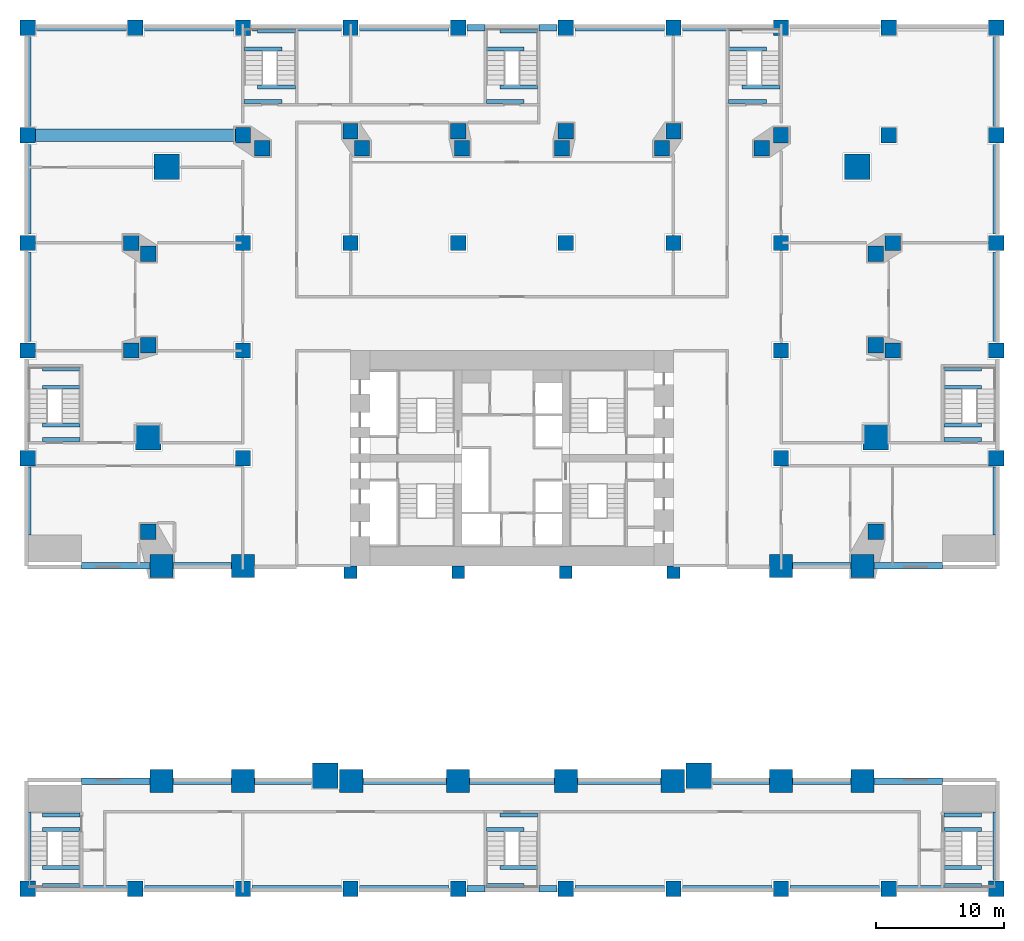
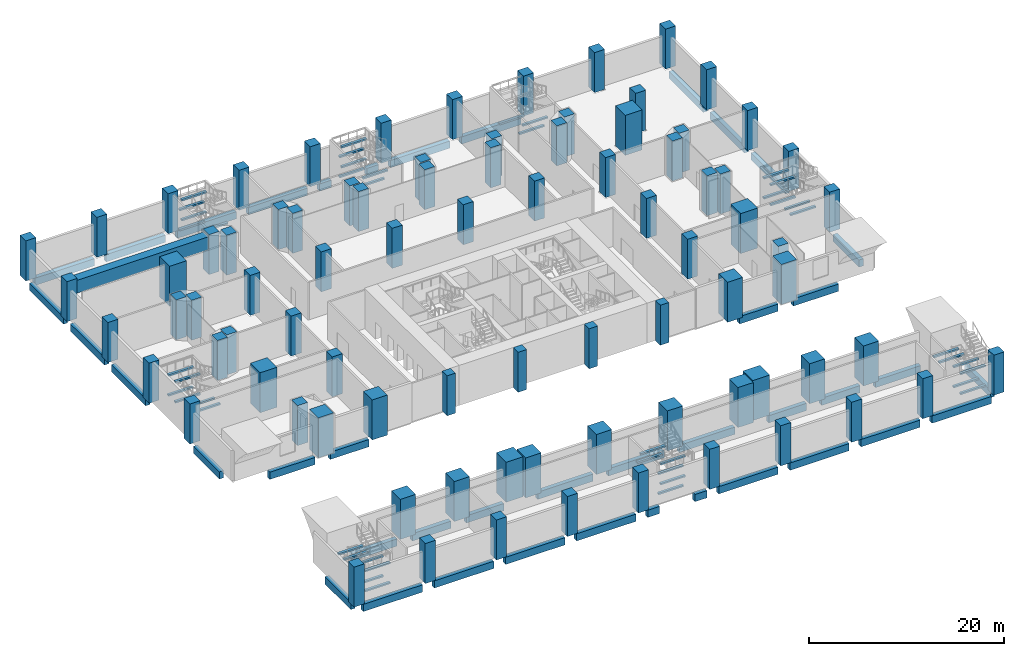
# One storey, part 1 of 16: 87 beams, 83 columns.
"""IFC4 building model written with IfcOpenShell, lengths in metres."""

from ifc_helpers import new_model, si_unit, direction, frame, frame_2d, origin, origin_2d, place, context, subcontext, project, spatial, rectangle, extrude, material, material_profile, profile_set, type_object, element, save


model = new_model("IFC4")

# Units and contexts
model_context = context("Model", 3, precision=1e-05, world=origin(), true_north=direction((0.0, 1.0)))
body_context = subcontext(model_context, "Body", "Model", "MODEL_VIEW")
ifc_project = project(units=[si_unit("LENGTHUNIT", "METRE"), si_unit("AREAUNIT", "SQUARE_METRE"), si_unit("VOLUMEUNIT", "CUBIC_METRE"), si_unit("PLANEANGLEUNIT", "RADIAN"), si_unit("MASSUNIT", "GRAM", prefix="KILO")], contexts=[model_context])

# Site, building, storey
site_placement = place(None, origin())
site = spatial("IfcSite", under=ifc_project, at=site_placement, CompositionType="ELEMENT")
building_placement = place(site_placement, origin())
building = spatial("IfcBuilding", under=site, at=building_placement, Name="Marenta Gate Hotel Tower", CompositionType="ELEMENT")
storey_placement = place(building_placement, frame((0.0, 0.0, 21.0)))
storey = spatial("IfcBuildingStorey", under=building, at=storey_placement, Name="L03", CompositionType="ELEMENT", Elevation=21.0)

# Columns
ifc_material_1 = material(Name="Concrete C80", Category="concrete")
ifc_material_profile_1 = material_profile(ifc_material_1, rectangle(XDim=1.0, YDim=1.0, at=origin_2d()), Name="1000 x 1000")
ifc_profile_set_1 = profile_set([ifc_material_profile_1], Name="Concrete C80")
column_type_1 = type_object("IfcColumnType", Name="Core pier 1000 x 1000 C80", PredefinedType="COLUMN", material=ifc_profile_set_1)
for number, where, z_axis, x_axis, name in (
    (1, (-12.60009765625, -0.5, 0.0), (0.0, 0.0, 1.0), (1.0, 0.0, 0.0), "L03-CP--12.6"),
    (2, (-4.199951171875, -0.5, 0.0), (0.0, 0.0, 1.0), (1.0, 0.0, 0.0), "L03-CP--4.2"),
    (3, (4.199951171875, -0.5, 0.0), (0.0, 0.0, 1.0), (1.0, 0.0, 0.0), "L03-CP-+4.2"),
    (4, (12.60009765625, -0.5, 0.0), (0.0, 0.0, 1.0), (1.0, 0.0, 0.0), "L03-CP-+12.6"),
):
    element("IfcColumn", number, at=place(storey_placement, frame(where, z_axis=z_axis, x_axis=x_axis)), inside=storey, type_object=column_type_1, Name=name, PredefinedType="COLUMN", context=body_context, shape_type="SweptSolid", body=[
        extrude(rectangle(XDim=1.0, YDim=1.0, at=origin_2d()), origin(), (0.0, 0.0, 1.0), 5.0),
    ])
ifc_material_2 = material(Name="Concrete C80", Category="concrete")
ifc_material_profile_2 = material_profile(ifc_material_2, rectangle(XDim=1.800048828125, YDim=1.800048828125, at=origin_2d()), Name="1800 x 1800")
ifc_profile_set_2 = profile_set([ifc_material_profile_2], Name="Concrete C80")
column_type_2 = type_object("IfcColumnType", Name="Gate lane column 1800 x 1800 C80", PredefinedType="COLUMN", material=ifc_profile_set_2)
for number, where, z_axis, x_axis, name in (
    (5, (-21.0, -16.800048828125, 0.0), (0.0, 0.0, 1.0), (1.0, 0.0, 0.0), "L03-PCOL-4/D"),
    (6, (-12.54638671875, -16.800048828125, 0.0), (0.0, 0.0, 1.0), (1.0, 0.0, 0.0), "L03-PCOL-5/D"),
    (7, (-4.199951171875, -16.800048828125, 0.0), (0.0, 0.0, 1.0), (1.0, 0.0, 0.0), "L03-PCOL-6/D"),
    (8, (4.199951171875, -16.800048828125, 0.0), (0.0, 0.0, 1.0), (1.0, 0.0, 0.0), "L03-PCOL-7/D"),
    (9, (12.54638671875, -16.800048828125, 0.0), (0.0, 0.0, 1.0), (1.0, 0.0, 0.0), "L03-PCOL-8/D"),
    (10, (21.0, -16.800048828125, 0.0), (0.0, 0.0, 1.0), (1.0, 0.0, 0.0), "L03-PCOL-9/D"),
    (11, (-21.0, 0.0, 0.0), (0.0, 0.0, 1.0), (1.0, 0.0, 0.0), "L03-PCOL-4/F"),
    (12, (21.0, 0.0, 0.0), (0.0, 0.0, 1.0), (1.0, 0.0, 0.0), "L03-PCOL-9/F"),
    (13, (-27.363037109375, -16.800048828125, 0.0), (0.0, 0.0, 1.0), (1.0, 0.0, 0.0), "L03-PCOL-WS-lane"),
    (14, (-27.363037109375, 0.0, 0.0), (0.0, 0.0, 1.0), (1.0, 0.0, 0.0), "L03-PCOL-WN-lane"),
    (15, (27.363037109375, -16.800048828125, 0.0), (0.0, 0.0, 1.0), (1.0, 0.0, 0.0), "L03-PCOL-ES-lane"),
    (16, (27.363037109375, 0.0, 0.0), (0.0, 0.0, 1.0), (1.0, 0.0, 0.0), "L03-PCOL-EN-lane"),
):
    element("IfcColumn", number, at=place(storey_placement, frame(where, z_axis=z_axis, x_axis=x_axis)), inside=storey, type_object=column_type_2, Name=name, PredefinedType="COLUMN", context=body_context, shape_type="SweptSolid", body=[
        extrude(rectangle(XDim=1.800048828125, YDim=1.800048828125, at=origin_2d()), origin(), (0.0, 0.0, 1.0), 5.0),
    ])
ifc_material_3 = material(Name="Concrete C70", Category="concrete")
ifc_material_profile_3 = material_profile(ifc_material_3, rectangle(XDim=1.199951171875, YDim=1.199951171875, at=origin_2d()), Name="1200 x 1200")
ifc_profile_set_3 = profile_set([ifc_material_profile_3], Name="Concrete C70")
column_type_3 = type_object("IfcColumnType", Name="Podium base column 1200 x 1200 C70", PredefinedType="COLUMN", material=ifc_profile_set_3)
for number, where, z_axis, x_axis, name in (
    (17, (-28.39990234375, 2.649169921875, 0.0), (0.0, 0.0, 1.0), (1.0, 0.0, 0.0), "L03-BC-SW-W-2"),
    (18, (-28.39990234375, 17.203125, 0.0), (0.0, 0.0, 1.0), (1.0, 0.0, 0.0), "L03-BC-W-NW-1"),
    (19, (-28.39990234375, 24.3564453125, 0.0), (0.0, 0.0, 1.0), (1.0, 0.0, 0.0), "L03-BC-W-NW-2"),
    (20, (-19.5068359375, 32.60009765625, 0.0), (0.0, 0.0, 1.0), (1.0, 0.0, 0.0), "L03-BC-NW-NE-1"),
    (21, (-11.7041015625, 32.60009765625, 0.0), (0.0, 0.0, 1.0), (1.0, 0.0, 0.0), "L03-BC-NW-NE-2"),
    (22, (-3.9013671875, 32.60009765625, 0.0), (0.0, 0.0, 1.0), (1.0, 0.0, 0.0), "L03-BC-NW-NE-3"),
    (23, (3.9013671875, 32.60009765625, 0.0), (0.0, 0.0, 1.0), (1.0, 0.0, 0.0), "L03-BC-NW-NE-4"),
    (24, (11.7041015625, 32.60009765625, 0.0), (0.0, 0.0, 1.0), (1.0, 0.0, 0.0), "L03-BC-NW-NE-5"),
    (25, (19.5068359375, 32.60009765625, 0.0), (0.0, 0.0, 1.0), (1.0, 0.0, 0.0), "L03-BC-NW-NE-6"),
    (26, (28.39990234375, 24.3564453125, 0.0), (0.0, 0.0, 1.0), (1.0, 0.0, 0.0), "L03-BC-NE-E-1"),
    (27, (28.39990234375, 17.203125, 0.0), (0.0, 0.0, 1.0), (1.0, 0.0, 0.0), "L03-BC-NE-E-2"),
    (28, (28.39990234375, 2.649169921875, 0.0), (0.0, 0.0, 1.0), (1.0, 0.0, 0.0), "L03-BC-E-SE-1"),
):
    element("IfcColumn", number, at=place(storey_placement, frame(where, z_axis=z_axis, x_axis=x_axis)), inside=storey, type_object=column_type_3, Name=name, PredefinedType="COLUMN", context=body_context, shape_type="SweptSolid", body=[
        extrude(rectangle(XDim=1.199951171875, YDim=1.199951171875, at=origin_2d()), origin(), (0.0, 0.0, 1.0), 5.0),
    ])
ifc_material_4 = material(Name="Concrete C60", Category="concrete")
ifc_material_profile_4 = material_profile(ifc_material_4, rectangle(XDim=1.199951171875, YDim=1.199951171875, at=origin_2d()), Name="1200 x 1200")
ifc_profile_set_4 = profile_set([ifc_material_profile_4], Name="Concrete C60")
column_type_4 = type_object("IfcColumnType", Name="Podium column 1200 x 1200 C60", PredefinedType="COLUMN", material=ifc_profile_set_4)
for number, where, z_axis, x_axis, name in (
    (29, (-37.800048828125, -25.199951171875, 0.0), (0.0, 0.0, 1.0), (1.0, 0.0, 0.0), "L03-PCOL-2/C"),
    (30, (-29.39990234375, -25.199951171875, 0.0), (0.0, 0.0, 1.0), (1.0, 0.0, 0.0), "L03-PCOL-3/C"),
    (31, (-21.0, -25.199951171875, 0.0), (0.0, 0.0, 1.0), (1.0, 0.0, 0.0), "L03-PCOL-4/C"),
    (32, (-12.60009765625, -25.199951171875, 0.0), (0.0, 0.0, 1.0), (1.0, 0.0, 0.0), "L03-PCOL-5/C"),
    (33, (-4.199951171875, -25.199951171875, 0.0), (0.0, 0.0, 1.0), (1.0, 0.0, 0.0), "L03-PCOL-6/C"),
    (34, (4.199951171875, -25.199951171875, 0.0), (0.0, 0.0, 1.0), (1.0, 0.0, 0.0), "L03-PCOL-7/C"),
    (35, (12.60009765625, -25.199951171875, 0.0), (0.0, 0.0, 1.0), (1.0, 0.0, 0.0), "L03-PCOL-8/C"),
    (36, (21.0, -25.199951171875, 0.0), (0.0, 0.0, 1.0), (1.0, 0.0, 0.0), "L03-PCOL-9/C"),
    (37, (29.39990234375, -25.199951171875, 0.0), (0.0, 0.0, 1.0), (1.0, 0.0, 0.0), "L03-PCOL-10/C"),
    (38, (37.800048828125, -25.199951171875, 0.0), (0.0, 0.0, 1.0), (1.0, 0.0, 0.0), "L03-PCOL-11/C"),
    (39, (-37.800048828125, 8.39990234375, 0.0), (0.0, 0.0, 1.0), (1.0, 0.0, 0.0), "L03-PCOL-2/G"),
    (40, (-21.0, 8.39990234375, 0.0), (0.0, 0.0, 1.0), (1.0, 0.0, 0.0), "L03-PCOL-4/G"),
    (41, (21.0, 8.39990234375, 0.0), (0.0, 0.0, 1.0), (1.0, 0.0, 0.0), "L03-PCOL-9/G"),
    (42, (37.800048828125, 8.39990234375, 0.0), (0.0, 0.0, 1.0), (1.0, 0.0, 0.0), "L03-PCOL-11/G"),
    (43, (-37.800048828125, 16.800048828125, 0.0), (0.0, 0.0, 1.0), (1.0, 0.0, 0.0), "L03-PCOL-2/H"),
    (44, (-29.719970703125, 16.800048828125, 0.0), (0.0, 0.0, 1.0), (1.0, 0.0, 0.0), "L03-PCOL-3/H"),
    (45, (-21.0, 16.800048828125, 0.0), (0.0, 0.0, 1.0), (1.0, 0.0, 0.0), "L03-PCOL-4/H"),
    (46, (21.0, 16.800048828125, 0.0), (0.0, 0.0, 1.0), (1.0, 0.0, 0.0), "L03-PCOL-9/H"),
    (47, (29.719970703125, 16.800048828125, 0.0), (0.0, 0.0, 1.0), (1.0, 0.0, 0.0), "L03-PCOL-10/H"),
    (48, (37.800048828125, 16.800048828125, 0.0), (0.0, 0.0, 1.0), (1.0, 0.0, 0.0), "L03-PCOL-11/H"),
    (49, (-37.800048828125, 25.199951171875, 0.0), (0.0, 0.0, 1.0), (1.0, 0.0, 0.0), "L03-PCOL-2/I"),
    (50, (-29.719970703125, 25.199951171875, 0.0), (0.0, 0.0, 1.0), (1.0, 0.0, 0.0), "L03-PCOL-3/I"),
    (51, (-21.0, 25.199951171875, 0.0), (0.0, 0.0, 1.0), (1.0, 0.0, 0.0), "L03-PCOL-4/I"),
    (52, (-12.60009765625, 25.199951171875, 0.0), (0.0, 0.0, 1.0), (1.0, 0.0, 0.0), "L03-PCOL-5/I"),
    (53, (-4.199951171875, 25.199951171875, 0.0), (0.0, 0.0, 1.0), (1.0, 0.0, 0.0), "L03-PCOL-6/I"),
    (54, (4.199951171875, 25.199951171875, 0.0), (0.0, 0.0, 1.0), (1.0, 0.0, 0.0), "L03-PCOL-7/I"),
    (55, (12.60009765625, 25.199951171875, 0.0), (0.0, 0.0, 1.0), (1.0, 0.0, 0.0), "L03-PCOL-8/I"),
    (56, (21.0, 25.199951171875, 0.0), (0.0, 0.0, 1.0), (1.0, 0.0, 0.0), "L03-PCOL-9/I"),
    (57, (29.719970703125, 25.199951171875, 0.0), (0.0, 0.0, 1.0), (1.0, 0.0, 0.0), "L03-PCOL-10/I"),
    (58, (37.800048828125, 25.199951171875, 0.0), (0.0, 0.0, 1.0), (1.0, 0.0, 0.0), "L03-PCOL-11/I"),
    (59, (-37.800048828125, 33.60009765625, 0.0), (0.0, 0.0, 1.0), (1.0, 0.0, 0.0), "L03-PCOL-2/J"),
    (60, (-21.0, 33.60009765625, 0.0), (0.0, 0.0, 1.0), (1.0, 0.0, 0.0), "L03-PCOL-4/J"),
    (61, (-12.60009765625, 33.919921875, 0.0), (0.0, 0.0, 1.0), (1.0, 0.0, 0.0), "L03-PCOL-5/J"),
    (62, (-4.199951171875, 33.919921875, 0.0), (0.0, 0.0, 1.0), (1.0, 0.0, 0.0), "L03-PCOL-6/J"),
    (63, (4.199951171875, 33.919921875, 0.0), (0.0, 0.0, 1.0), (1.0, 0.0, 0.0), "L03-PCOL-7/J"),
    (64, (12.60009765625, 33.919921875, 0.0), (0.0, 0.0, 1.0), (1.0, 0.0, 0.0), "L03-PCOL-8/J"),
    (65, (21.0, 33.60009765625, 0.0), (0.0, 0.0, 1.0), (1.0, 0.0, 0.0), "L03-PCOL-9/J"),
    (66, (29.39990234375, 33.60009765625, 0.0), (0.0, 0.0, 1.0), (1.0, 0.0, 0.0), "L03-PCOL-10/J"),
    (67, (37.800048828125, 33.60009765625, 0.0), (0.0, 0.0, 1.0), (1.0, 0.0, 0.0), "L03-PCOL-11/J"),
    (68, (-37.800048828125, 42.0, 0.0), (0.0, 0.0, 1.0), (1.0, 0.0, 0.0), "L03-PCOL-2/K"),
    (69, (-29.39990234375, 42.0, 0.0), (0.0, 0.0, 1.0), (1.0, 0.0, 0.0), "L03-PCOL-3/K"),
    (70, (-21.0, 42.0, 0.0), (0.0, 0.0, 1.0), (1.0, 0.0, 0.0), "L03-PCOL-4/K"),
    (71, (-12.60009765625, 42.0, 0.0), (0.0, 0.0, 1.0), (1.0, 0.0, 0.0), "L03-PCOL-5/K"),
    (72, (-4.199951171875, 42.0, 0.0), (0.0, 0.0, 1.0), (1.0, 0.0, 0.0), "L03-PCOL-6/K"),
    (73, (4.199951171875, 42.0, 0.0), (0.0, 0.0, 1.0), (1.0, 0.0, 0.0), "L03-PCOL-7/K"),
    (74, (12.60009765625, 42.0, 0.0), (0.0, 0.0, 1.0), (1.0, 0.0, 0.0), "L03-PCOL-8/K"),
    (75, (21.0, 42.0, 0.0), (0.0, 0.0, 1.0), (1.0, 0.0, 0.0), "L03-PCOL-9/K"),
    (76, (29.39990234375, 42.0, 0.0), (0.0, 0.0, 1.0), (1.0, 0.0, 0.0), "L03-PCOL-10/K"),
    (77, (37.800048828125, 42.0, 0.0), (0.0, 0.0, 1.0), (1.0, 0.0, 0.0), "L03-PCOL-11/K"),
):
    element("IfcColumn", number, at=place(storey_placement, frame(where, z_axis=z_axis, x_axis=x_axis)), inside=storey, type_object=column_type_4, Name=name, PredefinedType="COLUMN", context=body_context, shape_type="SweptSolid", body=[
        extrude(rectangle(XDim=1.199951171875, YDim=1.199951171875, at=origin_2d()), origin(), (0.0, 0.0, 1.0), 5.0),
    ])
ifc_material_5 = material(Name="Concrete C80", Category="concrete")
ifc_material_profile_5 = material_profile(ifc_material_5, rectangle(XDim=2.0, YDim=2.0, at=origin_2d()), Name="2000 x 2000")
ifc_profile_set_5 = profile_set([ifc_material_profile_5], Name="Concrete C80")
column_type_5 = type_object("IfcColumnType", Name="Podium column under mega column 2000 x 2000 C80", PredefinedType="COLUMN", material=ifc_profile_set_5)
for number, where, z_axis, x_axis, name in (
    (78, (28.39990234375, 10.050048828125, 0.0), (0.0, 0.0, 1.0), (1.0, 0.0, 0.0), "L03-PCOL-E-mega"),
    (79, (-28.39990234375, 10.050048828125, 0.0), (0.0, 0.0, 1.0), (1.0, 0.0, 0.0), "L03-PCOL-W-mega"),
    (80, (26.935546875, 31.135498046875, 0.0), (0.0, 0.0, 1.0), (1.0, 0.0, 0.0), "L03-PCOL-NE-mega"),
    (81, (-26.935546875, 31.135498046875, 0.0), (0.0, 0.0, 1.0), (1.0, 0.0, 0.0), "L03-PCOL-NW-mega"),
    (82, (-14.56640625, -16.374755859375, 0.0), (0.0, 0.0, 1.0), (1.0, 0.0, 0.0), "L03-PCOL-SKW-mega"),
    (83, (14.56640625, -16.374755859375, 0.0), (0.0, 0.0, 1.0), (1.0, 0.0, 0.0), "L03-PCOL-SKE-mega"),
):
    element("IfcColumn", number, at=place(storey_placement, frame(where, z_axis=z_axis, x_axis=x_axis)), inside=storey, type_object=column_type_5, Name=name, PredefinedType="COLUMN", context=body_context, shape_type="SweptSolid", body=[
        extrude(rectangle(XDim=2.0, YDim=2.0, at=origin_2d()), origin(), (0.0, 0.0, 1.0), 5.0),
    ])

# Beams
ifc_material_6 = material(Name="Concrete C70", Category="concrete")
ifc_material_profile_6 = material_profile(ifc_material_6, rectangle(XDim=1.0, YDim=1.60009765625, at=origin_2d()), Name="1000 x 1600")
ifc_profile_set_6 = profile_set([ifc_material_profile_6], Name="Concrete C70")
beam_type_1 = type_object("IfcBeamType", Name="Hall transfer girder 1000 x 1600 C70", PredefinedType="BEAM", material=ifc_profile_set_6)
beam_1_placement = place(storey_placement, frame((-37.25, 33.60009765625, 4.679931640625), z_axis=(1.0, 0.0, 0.0), x_axis=(0.0, 1.0, 0.0)))
element("IfcBeam", 84, at=beam_1_placement, inside=storey, type_object=beam_type_1, Name="L03-HG-336", PredefinedType="BEAM", context=body_context, shape_type="SweptSolid", body=[
    extrude(rectangle(XDim=1.0, YDim=1.60009765625, at=frame_2d((0.0, -0.800048828125))), origin(), (0.0, 0.0, 1.0), 15.699951171875),
])
ifc_material_7 = material(Name="Concrete C60", Category="concrete")
ifc_material_profile_7 = material_profile(ifc_material_7, rectangle(XDim=0.5, YDim=0.89990234375, at=origin_2d()), Name="500 x 900")
ifc_profile_set_7 = profile_set([ifc_material_profile_7], Name="Concrete C60")
beam_type_2 = type_object("IfcBeamType", Name="Podium edge beam 500 x 900 C60", PredefinedType="BEAM", material=ifc_profile_set_7)
for number, where, z_axis, x_axis, name in (
    (85, (-37.10009765625, -25.199951171875, -0.77001953125), (1.0, 0.0, 0.0), (0.0, 1.0, 0.0), "L03-PBM-87"),
    (86, (-28.699951171875, -25.199951171875, -0.77001953125), (1.0, 0.0, 0.0), (0.0, 1.0, 0.0), "L03-PBM-88"),
    (87, (-20.300048828125, -25.199951171875, -0.77001953125), (1.0, 0.0, 0.0), (0.0, 1.0, 0.0), "L03-PBM-89"),
    (88, (-11.89990234375, -25.199951171875, -0.77001953125), (1.0, 0.0, 0.0), (0.0, 1.0, 0.0), "L03-PBM-90"),
):
    element("IfcBeam", number, at=place(storey_placement, frame(where, z_axis=z_axis, x_axis=x_axis)), inside=storey, type_object=beam_type_2, Name=name, PredefinedType="BEAM", context=body_context, shape_type="SweptSolid", body=[
        extrude(rectangle(XDim=0.5, YDim=0.89990234375, at=origin_2d()), origin(), (0.0, 0.0, 1.0), 7.0),
    ])
for number, where, z_axis, x_axis, name in (
    (89, (-3.5, -25.199951171875, -0.77001953125), (1.0, 0.0, 0.0), (0.0, 1.0, 0.0), "L03-PBM-91"),
    (90, (2.10009765625, -25.199951171875, -0.77001953125), (1.0, 0.0, 0.0), (0.0, 1.0, 0.0), "L03-PBM-92"),
):
    element("IfcBeam", number, at=place(storey_placement, frame(where, z_axis=z_axis, x_axis=x_axis)), inside=storey, type_object=beam_type_2, Name=name, PredefinedType="BEAM", context=body_context, shape_type="SweptSolid", body=[
        extrude(rectangle(XDim=0.5, YDim=0.89990234375, at=origin_2d()), origin(), (0.0, 0.0, 1.0), 1.39990234375),
    ])
for number, where, z_axis, x_axis, name in (
    (91, (4.89990234375, -25.199951171875, -0.77001953125), (1.0, 0.0, 0.0), (0.0, 1.0, 0.0), "L03-PBM-93"),
    (92, (13.300048828125, -25.199951171875, -0.77001953125), (1.0, 0.0, 0.0), (0.0, 1.0, 0.0), "L03-PBM-94"),
    (93, (21.699951171875, -25.199951171875, -0.77001953125), (1.0, 0.0, 0.0), (0.0, 1.0, 0.0), "L03-PBM-95"),
    (94, (30.10009765625, -25.199951171875, -0.77001953125), (1.0, 0.0, 0.0), (0.0, 1.0, 0.0), "L03-PBM-96"),
):
    element("IfcBeam", number, at=place(storey_placement, frame(where, z_axis=z_axis, x_axis=x_axis)), inside=storey, type_object=beam_type_2, Name=name, PredefinedType="BEAM", context=body_context, shape_type="SweptSolid", body=[
        extrude(rectangle(XDim=0.5, YDim=0.89990234375, at=origin_2d()), origin(), (0.0, 0.0, 1.0), 7.0),
    ])
beam_2_placement = place(storey_placement, frame((37.800048828125, -24.5, -0.77001953125), z_axis=(0.0, 1.0, 0.0), x_axis=(-1.0, 0.0, 0.0)))
element("IfcBeam", 95, at=beam_2_placement, inside=storey, type_object=beam_type_2, Name="L03-PBM-97", PredefinedType="BEAM", context=body_context, shape_type="SweptSolid", body=[
    extrude(rectangle(XDim=0.5, YDim=0.89990234375, at=origin_2d()), origin(), (0.0, 0.0, 1.0), 5.300048828125),
])
beam_3_placement = place(storey_placement, frame((33.60009765625, -16.800048828125, -0.77001953125), z_axis=(-1.0, 0.0, 0.0), x_axis=(0.0, -1.0, 0.0)))
element("IfcBeam", 96, at=beam_3_placement, inside=storey, type_object=beam_type_2, Name="L03-PBM-98", PredefinedType="BEAM", context=body_context, shape_type="SweptSolid", body=[
    extrude(rectangle(XDim=0.5, YDim=0.89990234375, at=origin_2d()), origin(), (0.0, 0.0, 1.0), 5.337158203125),
])
beam_4_placement = place(storey_placement, frame((26.462890625, -16.800048828125, -0.77001953125), z_axis=(-1.0, 0.0, 0.0), x_axis=(0.0, -1.0, 0.0)))
element("IfcBeam", 97, at=beam_4_placement, inside=storey, type_object=beam_type_2, Name="L03-PBM-99", PredefinedType="BEAM", context=body_context, shape_type="SweptSolid", body=[
    extrude(rectangle(XDim=0.5, YDim=0.89990234375, at=origin_2d()), origin(), (0.0, 0.0, 1.0), 4.56298828125),
])
beam_5_placement = place(storey_placement, frame((20.10009765625, -16.800048828125, -0.77001953125), z_axis=(-1.0, 0.0, 0.0), x_axis=(0.0, -1.0, 0.0)))
element("IfcBeam", 98, at=beam_5_placement, inside=storey, type_object=beam_type_2, Name="L03-PBM-100", PredefinedType="BEAM", context=body_context, shape_type="SweptSolid", body=[
    extrude(rectangle(XDim=0.5, YDim=0.89990234375, at=origin_2d()), origin(), (0.0, 0.0, 1.0), 4.433837890625),
])
beam_6_placement = place(storey_placement, frame((11.646240234375, -16.800048828125, -0.77001953125), z_axis=(-1.0, 0.0, 0.0), x_axis=(0.0, -1.0, 0.0)))
element("IfcBeam", 99, at=beam_6_placement, inside=storey, type_object=beam_type_2, Name="L03-PBM-101", PredefinedType="BEAM", context=body_context, shape_type="SweptSolid", body=[
    extrude(rectangle(XDim=0.5, YDim=0.89990234375, at=origin_2d()), origin(), (0.0, 0.0, 1.0), 6.546142578125),
])
beam_7_placement = place(storey_placement, frame((3.300048828125, -16.800048828125, -0.77001953125), z_axis=(-1.0, 0.0, 0.0), x_axis=(0.0, -1.0, 0.0)))
element("IfcBeam", 100, at=beam_7_placement, inside=storey, type_object=beam_type_2, Name="L03-PBM-102", PredefinedType="BEAM", context=body_context, shape_type="SweptSolid", body=[
    extrude(rectangle(XDim=0.5, YDim=0.89990234375, at=origin_2d()), origin(), (0.0, 0.0, 1.0), 6.60009765625),
])
beam_8_placement = place(storey_placement, frame((-5.10009765625, -16.800048828125, -0.77001953125), z_axis=(-1.0, 0.0, 0.0), x_axis=(0.0, -1.0, 0.0)))
element("IfcBeam", 101, at=beam_8_placement, inside=storey, type_object=beam_type_2, Name="L03-PBM-103", PredefinedType="BEAM", context=body_context, shape_type="SweptSolid", body=[
    extrude(rectangle(XDim=0.5, YDim=0.89990234375, at=origin_2d()), origin(), (0.0, 0.0, 1.0), 6.546142578125),
])
beam_9_placement = place(storey_placement, frame((-15.666259765625, -16.800048828125, -0.77001953125), z_axis=(-1.0, 0.0, 0.0), x_axis=(0.0, -1.0, 0.0)))
element("IfcBeam", 102, at=beam_9_placement, inside=storey, type_object=beam_type_2, Name="L03-PBM-104", PredefinedType="BEAM", context=body_context, shape_type="SweptSolid", body=[
    extrude(rectangle(XDim=0.5, YDim=0.89990234375, at=origin_2d()), origin(), (0.0, 0.0, 1.0), 4.433837890625),
])
beam_10_placement = place(storey_placement, frame((-21.89990234375, -16.800048828125, -0.77001953125), z_axis=(-1.0, 0.0, 0.0), x_axis=(0.0, -1.0, 0.0)))
element("IfcBeam", 103, at=beam_10_placement, inside=storey, type_object=beam_type_2, Name="L03-PBM-105", PredefinedType="BEAM", context=body_context, shape_type="SweptSolid", body=[
    extrude(rectangle(XDim=0.5, YDim=0.89990234375, at=origin_2d()), origin(), (0.0, 0.0, 1.0), 4.56298828125),
])
beam_11_placement = place(storey_placement, frame((-28.262939453125, -16.800048828125, -0.77001953125), z_axis=(-1.0, 0.0, 0.0), x_axis=(0.0, -1.0, 0.0)))
element("IfcBeam", 104, at=beam_11_placement, inside=storey, type_object=beam_type_2, Name="L03-PBM-106", PredefinedType="BEAM", context=body_context, shape_type="SweptSolid", body=[
    extrude(rectangle(XDim=0.5, YDim=0.89990234375, at=origin_2d()), origin(), (0.0, 0.0, 1.0), 5.337158203125),
])
beam_12_placement = place(storey_placement, frame((-37.800048828125, -19.199951171875, -0.77001953125), z_axis=(0.0, -1.0, 0.0), x_axis=(1.0, 0.0, 0.0)))
element("IfcBeam", 105, at=beam_12_placement, inside=storey, type_object=beam_type_2, Name="L03-PBM-107", PredefinedType="BEAM", context=body_context, shape_type="SweptSolid", body=[
    extrude(rectangle(XDim=0.5, YDim=0.89990234375, at=origin_2d()), origin(), (0.0, 0.0, 1.0), 5.300048828125),
])
beam_13_placement = place(storey_placement, frame((-33.60009765625, 0.0, -0.77001953125), z_axis=(1.0, 0.0, 0.0), x_axis=(0.0, 1.0, 0.0)))
element("IfcBeam", 106, at=beam_13_placement, inside=storey, type_object=beam_type_2, Name="L03-PBM-108", PredefinedType="BEAM", context=body_context, shape_type="SweptSolid", body=[
    extrude(rectangle(XDim=0.5, YDim=0.89990234375, at=origin_2d()), origin(), (0.0, 0.0, 1.0), 5.337158203125),
])
for number, where, z_axis, x_axis, name in (
    (107, (-26.462890625, 0.0, -0.77001953125), (1.0, 0.0, 0.0), (0.0, 1.0, 0.0), "L03-PBM-109"),
    (108, (21.89990234375, 0.0, -0.77001953125), (1.0, 0.0, 0.0), (0.0, 1.0, 0.0), "L03-PBM-110"),
):
    element("IfcBeam", number, at=place(storey_placement, frame(where, z_axis=z_axis, x_axis=x_axis)), inside=storey, type_object=beam_type_2, Name=name, PredefinedType="BEAM", context=body_context, shape_type="SweptSolid", body=[
        extrude(rectangle(XDim=0.5, YDim=0.89990234375, at=origin_2d()), origin(), (0.0, 0.0, 1.0), 4.56298828125),
    ])
beam_14_placement = place(storey_placement, frame((28.262939453125, 0.0, -0.77001953125), z_axis=(1.0, 0.0, 0.0), x_axis=(0.0, 1.0, 0.0)))
element("IfcBeam", 109, at=beam_14_placement, inside=storey, type_object=beam_type_2, Name="L03-PBM-111", PredefinedType="BEAM", context=body_context, shape_type="SweptSolid", body=[
    extrude(rectangle(XDim=0.5, YDim=0.89990234375, at=origin_2d()), origin(), (0.0, 0.0, 1.0), 5.337158203125),
])
beam_15_placement = place(storey_placement, frame((37.800048828125, 2.39990234375, -0.77001953125), z_axis=(0.0, 1.0, 0.0), x_axis=(-1.0, 0.0, 0.0)))
element("IfcBeam", 110, at=beam_15_placement, inside=storey, type_object=beam_type_2, Name="L03-PBM-112", PredefinedType="BEAM", context=body_context, shape_type="SweptSolid", body=[
    extrude(rectangle(XDim=0.5, YDim=0.89990234375, at=origin_2d()), origin(), (0.0, 0.0, 1.0), 5.300048828125),
])
for number, where, z_axis, x_axis, name in (
    (111, (37.800048828125, 17.5, -0.77001953125), (0.0, 1.0, 0.0), (-1.0, 0.0, 0.0), "L03-PBM-113"),
    (112, (37.800048828125, 25.89990234375, -0.77001953125), (0.0, 1.0, 0.0), (-1.0, 0.0, 0.0), "L03-PBM-114"),
    (113, (37.800048828125, 34.300048828125, -0.77001953125), (0.0, 1.0, 0.0), (-1.0, 0.0, 0.0), "L03-PBM-115"),
    (114, (20.300048828125, 42.0, -0.77001953125), (-1.0, 0.0, 0.0), (0.0, -1.0, 0.0), "L03-PBM-118"),
    (115, (11.89990234375, 42.0, -0.77001953125), (-1.0, 0.0, 0.0), (0.0, -1.0, 0.0), "L03-PBM-119"),
):
    element("IfcBeam", number, at=place(storey_placement, frame(where, z_axis=z_axis, x_axis=x_axis)), inside=storey, type_object=beam_type_2, Name=name, PredefinedType="BEAM", context=body_context, shape_type="SweptSolid", body=[
        extrude(rectangle(XDim=0.5, YDim=0.89990234375, at=origin_2d()), origin(), (0.0, 0.0, 1.0), 7.0),
    ])
for number, where, z_axis, x_axis, name in (
    (116, (3.5, 42.0, -0.77001953125), (-1.0, 0.0, 0.0), (0.0, -1.0, 0.0), "L03-PBM-120"),
    (117, (-2.10009765625, 42.0, -0.77001953125), (-1.0, 0.0, 0.0), (0.0, -1.0, 0.0), "L03-PBM-121"),
):
    element("IfcBeam", number, at=place(storey_placement, frame(where, z_axis=z_axis, x_axis=x_axis)), inside=storey, type_object=beam_type_2, Name=name, PredefinedType="BEAM", context=body_context, shape_type="SweptSolid", body=[
        extrude(rectangle(XDim=0.5, YDim=0.89990234375, at=origin_2d()), origin(), (0.0, 0.0, 1.0), 1.39990234375),
    ])
for number, where, z_axis, x_axis, name in (
    (118, (-4.89990234375, 42.0, -0.77001953125), (-1.0, 0.0, 0.0), (0.0, -1.0, 0.0), "L03-PBM-122"),
    (119, (-13.300048828125, 42.0, -0.77001953125), (-1.0, 0.0, 0.0), (0.0, -1.0, 0.0), "L03-PBM-123"),
    (120, (-21.699951171875, 42.0, -0.77001953125), (-1.0, 0.0, 0.0), (0.0, -1.0, 0.0), "L03-PBM-124"),
    (121, (-30.10009765625, 42.0, -0.77001953125), (-1.0, 0.0, 0.0), (0.0, -1.0, 0.0), "L03-PBM-125"),
    (122, (-37.800048828125, 41.300048828125, -0.77001953125), (0.0, -1.0, 0.0), (1.0, 0.0, 0.0), "L03-PBM-126"),
    (123, (-37.800048828125, 32.89990234375, -0.77001953125), (0.0, -1.0, 0.0), (1.0, 0.0, 0.0), "L03-PBM-127"),
    (124, (-37.800048828125, 24.5, -0.77001953125), (0.0, -1.0, 0.0), (1.0, 0.0, 0.0), "L03-PBM-128"),
):
    element("IfcBeam", number, at=place(storey_placement, frame(where, z_axis=z_axis, x_axis=x_axis)), inside=storey, type_object=beam_type_2, Name=name, PredefinedType="BEAM", context=body_context, shape_type="SweptSolid", body=[
        extrude(rectangle(XDim=0.5, YDim=0.89990234375, at=origin_2d()), origin(), (0.0, 0.0, 1.0), 7.0),
    ])
beam_16_placement = place(storey_placement, frame((-37.800048828125, 7.699951171875, -0.77001953125), z_axis=(0.0, -1.0, 0.0), x_axis=(1.0, 0.0, 0.0)))
element("IfcBeam", 125, at=beam_16_placement, inside=storey, type_object=beam_type_2, Name="L03-PBM-129", PredefinedType="BEAM", context=body_context, shape_type="SweptSolid", body=[
    extrude(rectangle(XDim=0.5, YDim=0.89990234375, at=origin_2d()), origin(), (0.0, 0.0, 1.0), 5.300048828125),
])
ifc_material_8 = material(Name="Concrete C40", Category="concrete")
ifc_material_profile_8 = material_profile(ifc_material_8, rectangle(XDim=0.300048828125, YDim=0.199951171875, at=origin_2d()), Name="300 x 200")
ifc_profile_set_8 = profile_set([ifc_material_profile_8], Name="Concrete C40")
beam_type_3 = type_object("IfcBeamType", Name="Stair landing trimmer 300 x 200 C40", PredefinedType="BEAM", material=ifc_profile_set_8)
for number, where, z_axis, x_axis, name in (
    (126, (-36.64990234375, -24.949951171875, 0.949951171875), (1.0, 0.0, 0.0), (0.0, 1.0, 0.0), "L03-PX1-LT-1"),
    (127, (-36.64990234375, -23.5400390625, 0.949951171875), (1.0, 0.0, 0.0), (0.0, 1.0, 0.0), "L03-PX1-LT-2"),
    (128, (-36.64990234375, -20.580078125, 2.199951171875), (1.0, 0.0, 0.0), (0.0, 1.0, 0.0), "L03-PX1-LT-3"),
    (129, (-36.64990234375, -19.449951171875, 2.199951171875), (1.0, 0.0, 0.0), (0.0, 1.0, 0.0), "L03-PX1-LT-4"),
    (130, (-36.64990234375, -24.949951171875, 3.449951171875), (1.0, 0.0, 0.0), (0.0, 1.0, 0.0), "L03-PX1-LT-5"),
    (131, (-36.64990234375, -23.5400390625, 3.449951171875), (1.0, 0.0, 0.0), (0.0, 1.0, 0.0), "L03-PX1-LT-6"),
    (132, (33.699951171875, -24.949951171875, 0.949951171875), (1.0, 0.0, 0.0), (0.0, 1.0, 0.0), "L03-PX2-LT-1"),
    (133, (33.699951171875, -23.5400390625, 0.949951171875), (1.0, 0.0, 0.0), (0.0, 1.0, 0.0), "L03-PX2-LT-2"),
    (134, (33.699951171875, -20.580078125, 2.199951171875), (1.0, 0.0, 0.0), (0.0, 1.0, 0.0), "L03-PX2-LT-3"),
    (135, (33.699951171875, -19.449951171875, 2.199951171875), (1.0, 0.0, 0.0), (0.0, 1.0, 0.0), "L03-PX2-LT-4"),
    (136, (33.699951171875, -24.949951171875, 3.449951171875), (1.0, 0.0, 0.0), (0.0, 1.0, 0.0), "L03-PX2-LT-5"),
    (137, (33.699951171875, -23.5400390625, 3.449951171875), (1.0, 0.0, 0.0), (0.0, 1.0, 0.0), "L03-PX2-LT-6"),
    (138, (-20.89990234375, 40.340087890625, 0.949951171875), (1.0, 0.0, 0.0), (0.0, 1.0, 0.0), "L03-PX3-LT-1"),
):
    element("IfcBeam", number, at=place(storey_placement, frame(where, z_axis=z_axis, x_axis=x_axis)), inside=storey, type_object=beam_type_3, Name=name, PredefinedType="BEAM", context=body_context, shape_type="SweptSolid", body=[
        extrude(rectangle(XDim=0.300048828125, YDim=0.199951171875, at=origin_2d()), origin(), (0.0, 0.0, 1.0), 2.949951171875),
    ])
beam_17_placement = place(storey_placement, frame((-19.85009765625, 41.75, 0.949951171875), z_axis=(1.0, 0.0, 0.0), x_axis=(0.0, 1.0, 0.0)))
element("IfcBeam", 139, at=beam_17_placement, inside=storey, type_object=beam_type_3, Name="L03-PX3-LT-2", PredefinedType="BEAM", context=body_context, shape_type="SweptSolid", body=[
    extrude(rectangle(XDim=0.300048828125, YDim=0.199951171875, at=origin_2d()), origin(), (0.0, 0.0, 1.0), 2.9501953125),
])
beam_18_placement = place(storey_placement, frame((-20.89990234375, 36.25, 2.199951171875), z_axis=(1.0, 0.0, 0.0), x_axis=(0.0, 1.0, 0.0)))
element("IfcBeam", 140, at=beam_18_placement, inside=storey, type_object=beam_type_3, Name="L03-PX3-LT-3", PredefinedType="BEAM", context=body_context, shape_type="SweptSolid", body=[
    extrude(rectangle(XDim=0.300048828125, YDim=0.199951171875, at=origin_2d()), origin(), (0.0, 0.0, 1.0), 2.949951171875),
])
beam_19_placement = place(storey_placement, frame((-19.85009765625, 37.3798828125, 2.199951171875), z_axis=(1.0, 0.0, 0.0), x_axis=(0.0, 1.0, 0.0)))
element("IfcBeam", 141, at=beam_19_placement, inside=storey, type_object=beam_type_3, Name="L03-PX3-LT-4", PredefinedType="BEAM", context=body_context, shape_type="SweptSolid", body=[
    extrude(rectangle(XDim=0.300048828125, YDim=0.199951171875, at=origin_2d()), origin(), (0.0, 0.0, 1.0), 2.9501953125),
])
beam_20_placement = place(storey_placement, frame((-20.89990234375, 40.340087890625, 3.449951171875), z_axis=(1.0, 0.0, 0.0), x_axis=(0.0, 1.0, 0.0)))
element("IfcBeam", 142, at=beam_20_placement, inside=storey, type_object=beam_type_3, Name="L03-PX3-LT-5", PredefinedType="BEAM", context=body_context, shape_type="SweptSolid", body=[
    extrude(rectangle(XDim=0.300048828125, YDim=0.199951171875, at=origin_2d()), origin(), (0.0, 0.0, 1.0), 2.949951171875),
])
for number, where, z_axis, x_axis, name in (
    (143, (-19.85009765625, 41.75, 3.449951171875), (1.0, 0.0, 0.0), (0.0, 1.0, 0.0), "L03-PX3-LT-6"),
    (144, (16.89990234375, 40.340087890625, 0.949951171875), (1.0, 0.0, 0.0), (0.0, 1.0, 0.0), "L03-PX4-LT-1"),
    (145, (16.89990234375, 36.25, 2.199951171875), (1.0, 0.0, 0.0), (0.0, 1.0, 0.0), "L03-PX4-LT-3"),
):
    element("IfcBeam", number, at=place(storey_placement, frame(where, z_axis=z_axis, x_axis=x_axis)), inside=storey, type_object=beam_type_3, Name=name, PredefinedType="BEAM", context=body_context, shape_type="SweptSolid", body=[
        extrude(rectangle(XDim=0.300048828125, YDim=0.199951171875, at=origin_2d()), origin(), (0.0, 0.0, 1.0), 2.9501953125),
    ])
for number, where, z_axis, x_axis, name in (
    (146, (17.949951171875, 37.3798828125, 2.199951171875), (1.0, 0.0, 0.0), (0.0, 1.0, 0.0), "L03-PX4-LT-4"),
    (147, (-2.0, -24.949951171875, 0.949951171875), (1.0, 0.0, 0.0), (0.0, 1.0, 0.0), "L03-PX5-LT-1"),
    (148, (-0.949951171875, -23.5400390625, 0.949951171875), (1.0, 0.0, 0.0), (0.0, 1.0, 0.0), "L03-PX5-LT-2"),
    (149, (-2.0, -20.580078125, 2.199951171875), (1.0, 0.0, 0.0), (0.0, 1.0, 0.0), "L03-PX5-LT-3"),
    (150, (-0.949951171875, -19.449951171875, 2.199951171875), (1.0, 0.0, 0.0), (0.0, 1.0, 0.0), "L03-PX5-LT-4"),
    (151, (-2.0, -24.949951171875, 3.449951171875), (1.0, 0.0, 0.0), (0.0, 1.0, 0.0), "L03-PX5-LT-5"),
    (152, (-0.949951171875, -23.5400390625, 3.449951171875), (1.0, 0.0, 0.0), (0.0, 1.0, 0.0), "L03-PX5-LT-6"),
    (153, (-36.64990234375, 13.93994140625, 0.949951171875), (1.0, 0.0, 0.0), (0.0, 1.0, 0.0), "L03-PX6-LT-1"),
    (154, (-36.64990234375, 15.35009765625, 0.949951171875), (1.0, 0.0, 0.0), (0.0, 1.0, 0.0), "L03-PX6-LT-2"),
    (155, (-36.64990234375, 9.85009765625, 2.199951171875), (1.0, 0.0, 0.0), (0.0, 1.0, 0.0), "L03-PX6-LT-3"),
    (156, (-36.64990234375, 10.97998046875, 2.199951171875), (1.0, 0.0, 0.0), (0.0, 1.0, 0.0), "L03-PX6-LT-4"),
    (157, (-36.64990234375, 13.93994140625, 3.449951171875), (1.0, 0.0, 0.0), (0.0, 1.0, 0.0), "L03-PX6-LT-5"),
    (158, (-36.64990234375, 15.35009765625, 3.449951171875), (1.0, 0.0, 0.0), (0.0, 1.0, 0.0), "L03-PX6-LT-6"),
    (159, (33.699951171875, 13.93994140625, 0.949951171875), (1.0, 0.0, 0.0), (0.0, 1.0, 0.0), "L03-PX7-LT-1"),
    (160, (33.699951171875, 15.35009765625, 0.949951171875), (1.0, 0.0, 0.0), (0.0, 1.0, 0.0), "L03-PX7-LT-2"),
    (161, (33.699951171875, 9.85009765625, 2.199951171875), (1.0, 0.0, 0.0), (0.0, 1.0, 0.0), "L03-PX7-LT-3"),
    (162, (33.699951171875, 10.97998046875, 2.199951171875), (1.0, 0.0, 0.0), (0.0, 1.0, 0.0), "L03-PX7-LT-4"),
    (163, (33.699951171875, 13.93994140625, 3.449951171875), (1.0, 0.0, 0.0), (0.0, 1.0, 0.0), "L03-PX7-LT-5"),
    (164, (33.699951171875, 15.35009765625, 3.449951171875), (1.0, 0.0, 0.0), (0.0, 1.0, 0.0), "L03-PX7-LT-6"),
    (165, (-2.0, 40.340087890625, 0.949951171875), (1.0, 0.0, 0.0), (0.0, 1.0, 0.0), "L03-PX8-LT-1"),
    (166, (-0.949951171875, 41.75, 0.949951171875), (1.0, 0.0, 0.0), (0.0, 1.0, 0.0), "L03-PX8-LT-2"),
    (167, (-2.0, 36.25, 2.199951171875), (1.0, 0.0, 0.0), (0.0, 1.0, 0.0), "L03-PX8-LT-3"),
    (168, (-0.949951171875, 37.3798828125, 2.199951171875), (1.0, 0.0, 0.0), (0.0, 1.0, 0.0), "L03-PX8-LT-4"),
    (169, (-2.0, 40.340087890625, 3.449951171875), (1.0, 0.0, 0.0), (0.0, 1.0, 0.0), "L03-PX8-LT-5"),
    (170, (-0.949951171875, 41.75, 3.449951171875), (1.0, 0.0, 0.0), (0.0, 1.0, 0.0), "L03-PX8-LT-6"),
):
    element("IfcBeam", number, at=place(storey_placement, frame(where, z_axis=z_axis, x_axis=x_axis)), inside=storey, type_object=beam_type_3, Name=name, PredefinedType="BEAM", context=body_context, shape_type="SweptSolid", body=[
        extrude(rectangle(XDim=0.300048828125, YDim=0.199951171875, at=origin_2d()), origin(), (0.0, 0.0, 1.0), 2.949951171875),
    ])

save(model, "model.ifc")
